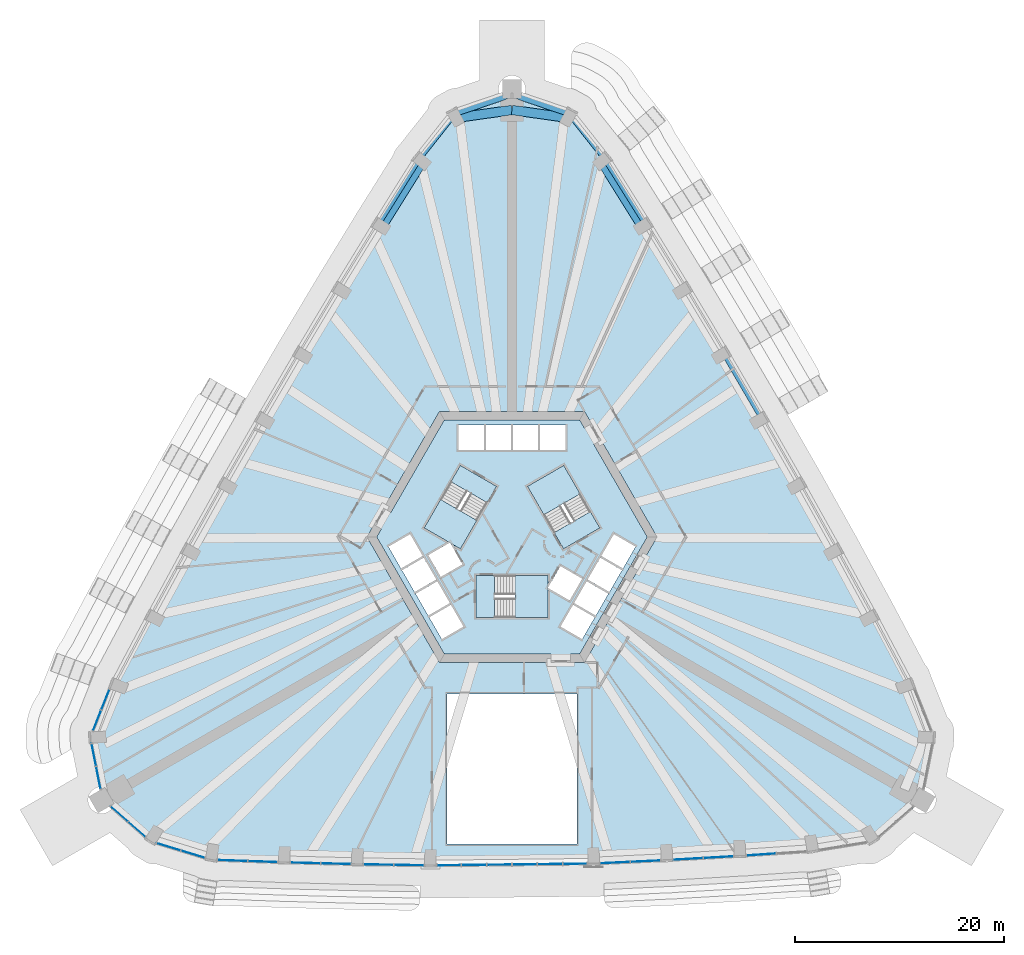
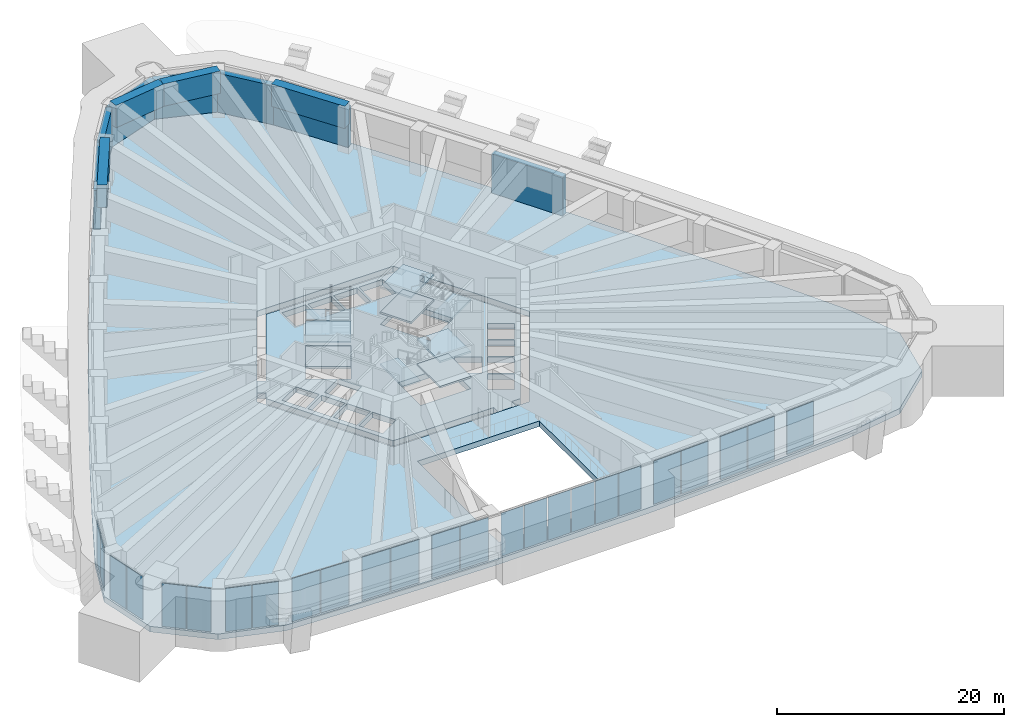
# One storey, part 7 of 22: 25 plates, 11 slabs, 7 members, 4 beams, 14 elements without a shape of their own.
"""IFC4 building model written with IfcOpenShell, lengths in metres."""

from ifc_helpers import new_model, si_unit, direction, frame, origin, origin_2d, place, context, subcontext, project, spatial, polyline, rectangle, outline, extrude, material, layer, layer_set, material_profile, profile_set, type_object, element, aggregate, save


model = new_model("IFC4")

# Units and contexts
model_context = context("Model", 3, precision=1e-05, world=origin(), true_north=direction((0.0, 1.0)))
body_context = subcontext(model_context, "Body", "Model", "MODEL_VIEW")
ifc_project = project(units=[si_unit("LENGTHUNIT", "METRE"), si_unit("AREAUNIT", "SQUARE_METRE"), si_unit("VOLUMEUNIT", "CUBIC_METRE"), si_unit("PLANEANGLEUNIT", "RADIAN"), si_unit("MASSUNIT", "GRAM", prefix="KILO")], contexts=[model_context])

# Site, building, storey
site_placement = place(None, origin())
site = spatial("IfcSite", under=ifc_project, at=site_placement, CompositionType="ELEMENT")
building_placement = place(site_placement, origin())
building = spatial("IfcBuilding", under=site, at=building_placement, Name="Entoto Arch Interchange Tower", CompositionType="ELEMENT")
storey_placement = place(building_placement, frame((0.0, 0.0, 132.800048828125)))
storey = spatial("IfcBuildingStorey", under=building, at=storey_placement, Name="L29", CompositionType="ELEMENT", Elevation=132.800048828125)

# Members
ifc_material_1 = material(Name="Concrete C60/75", Category="concrete")
ifc_material_profile_1 = material_profile(ifc_material_1, rectangle(XDim=0.60009765625, YDim=4.199951171875, at=origin_2d()))
ifc_profile_set_1 = profile_set([ifc_material_profile_1], Name="Concrete C60/75")
member_type = type_object("IfcMemberType", Name="Belt member RC 600x4200 C60/75", PredefinedType="USERDEFINED", material=ifc_profile_set_1)
member_1_placement = place(storey_placement, frame((23.949951171875, 13.827880859375, 2.099853515625), z_axis=(-0.504348531195, 0.86350017897, 0.0), x_axis=(-0.86350017897, -0.504348531195, 0.0)))
element("IfcMember", 1, at=member_1_placement, inside=storey, type_object=member_type, Name="Belt beam 16 L29", ObjectType="BELT BEAM", PredefinedType="USERDEFINED", context=body_context, shape_type="SweptSolid", body=[
    extrude(rectangle(XDim=0.60009765625, YDim=4.199951171875, at=origin_2d()), origin(), (0.0, 0.0, 1.0), 7.215087890625),
])
member_2_placement = place(storey_placement, frame((12.842041015625, 32.405029296875, 2.099853515625), z_axis=(-0.5306608659, 0.847584240888, 0.0), x_axis=(-0.847584240888, -0.5306608659, 0.0)))
element("IfcMember", 2, at=member_2_placement, inside=storey, type_object=member_type, Name="Belt beam 19 L29", ObjectType="BELT BEAM", PredefinedType="USERDEFINED", context=body_context, shape_type="SweptSolid", body=[
    extrude(rectangle(XDim=0.60009765625, YDim=4.199951171875, at=origin_2d()), origin(), (0.0, 0.0, 1.0), 7.424560546875),
])
member_3_placement = place(storey_placement, frame((8.902099609375, 38.697998046875, 2.099853515625), z_axis=(-0.620414203619, 0.784274324422, 0.0), x_axis=(-0.784274324422, -0.620414203619, 0.0)))
element("IfcMember", 3, at=member_3_placement, inside=storey, type_object=member_type, Name="Belt beam 20 L29", ObjectType="BELT BEAM", PredefinedType="USERDEFINED", context=body_context, shape_type="SweptSolid", body=[
    extrude(rectangle(XDim=0.60009765625, YDim=4.199951171875, at=origin_2d()), origin(), (0.0, 0.0, 1.0), 5.436767578125),
])
for number, where, z_axis, x_axis, name in (
    (4, (5.529052734375, 42.9619140625, 2.099853515625), (-0.946657774113, 0.322240684445, 0.0), (-0.322240684445, -0.946657774113, 0.0), "Belt beam 21 L29"),
    (5, (0.0, 44.843994140625, 2.099853515625), (-0.946657774113, -0.322240684445, 0.0), (0.322240684445, -0.946657774113, 0.0), "Belt beam 22 L29"),
):
    element("IfcMember", number, at=place(storey_placement, frame(where, z_axis=z_axis, x_axis=x_axis)), inside=storey, type_object=member_type, Name=name, ObjectType="BELT BEAM", PredefinedType="USERDEFINED", context=body_context, shape_type="SweptSolid", body=[
        extrude(rectangle(XDim=0.60009765625, YDim=4.199951171875, at=origin_2d()), origin(), (0.0, 0.0, 1.0), 5.840576171875),
    ])
member_4_placement = place(storey_placement, frame((-5.529052734375, 42.9619140625, 2.099853515625), z_axis=(-0.620414203619, -0.784274324422, 0.0), x_axis=(0.784274324422, -0.620414203619, 0.0)))
element("IfcMember", 6, at=member_4_placement, inside=storey, type_object=member_type, Name="Belt beam 23 L29", ObjectType="BELT BEAM", PredefinedType="USERDEFINED", context=body_context, shape_type="SweptSolid", body=[
    extrude(rectangle(XDim=0.60009765625, YDim=4.199951171875, at=origin_2d()), origin(), (0.0, 0.0, 1.0), 5.436767578125),
])
member_5_placement = place(storey_placement, frame((-8.902099609375, 38.697998046875, 2.099853515625), z_axis=(-0.5306608659, -0.847584240888, 0.0), x_axis=(0.847584240888, -0.5306608659, 0.0)))
element("IfcMember", 7, at=member_5_placement, inside=storey, type_object=member_type, Name="Belt beam 24 L29", ObjectType="BELT BEAM", PredefinedType="USERDEFINED", context=body_context, shape_type="SweptSolid", body=[
    extrude(rectangle(XDim=0.60009765625, YDim=4.199951171875, at=origin_2d()), origin(), (0.0, 0.0, 1.0), 7.424560546875),
])

# Beams
ifc_material_profile_2 = material_profile(ifc_material_1, rectangle(XDim=0.89990234375, YDim=2.39990234375, at=origin_2d()))
ifc_profile_set_2 = profile_set([ifc_material_profile_2], Name="Concrete C60/75")
beam_type = type_object("IfcBeamType", Name="Transfer beam RC 900x2400 C60/75", PredefinedType="BEAM", material=ifc_profile_set_2)
beam_1_placement = place(storey_placement, frame((12.45703125, 32.162109375, 3.599853515625), z_axis=(-0.529795373298, 0.848125499223, 0.0), x_axis=(-0.848125499223, -0.529795373298, 0.0)))
element("IfcBeam", 8, at=beam_1_placement, inside=storey, type_object=beam_type, Name="Transfer girder NE08 L29", PredefinedType="BEAM", context=body_context, shape_type="SweptSolid", body=[
    extrude(rectangle(XDim=0.89990234375, YDim=2.39990234375, at=origin_2d()), origin(), (0.0, 0.0, 1.0), 7.331298828125),
])
for number, where, z_axis, x_axis, name in (
    (9, (5.364990234375, 42.551025390625, 3.599853515625), (-0.990039398699, 0.140790585708, 0.0), (-0.140790585708, -0.990039398699, 0.0), "Transfer girder N1 L29"),
    (10, (0.0, 43.31396484375, 3.599853515625), (-0.990039398699, -0.140790585708, 0.0), (0.140790585708, -0.990039398699, 0.0), "Transfer girder N3 L29"),
):
    element("IfcBeam", number, at=place(storey_placement, frame(where, z_axis=z_axis, x_axis=x_axis)), inside=storey, type_object=beam_type, Name=name, PredefinedType="BEAM", context=body_context, shape_type="SweptSolid", body=[
        extrude(rectangle(XDim=0.89990234375, YDim=2.39990234375, at=origin_2d()), origin(), (0.0, 0.0, 1.0), 5.4189453125),
    ])
beam_2_placement = place(storey_placement, frame((-8.572998046875, 38.3798828125, 3.599853515625), z_axis=(-0.529795373298, -0.848125499223, 0.0), x_axis=(0.848125499223, -0.529795373298, 0.0)))
element("IfcBeam", 11, at=beam_2_placement, inside=storey, type_object=beam_type, Name="Transfer girder NW01 L29", PredefinedType="BEAM", context=body_context, shape_type="SweptSolid", body=[
    extrude(rectangle(XDim=0.89990234375, YDim=2.39990234375, at=origin_2d()), origin(), (0.0, 0.0, 1.0), 7.331298828125),
])

# Slab
ifc_material_2 = material(Name="Concrete C40/50", Category="concrete")
ifc_layer_1 = layer(ifc_material_2, 0.60009765625)
ifc_layer_set_1 = layer_set([ifc_layer_1], Name="Concrete C40/50")
slab_type_1 = type_object("IfcSlabType", Name="Core floor slab 600 C40/50", PredefinedType="FLOOR", material=ifc_layer_set_1)
slab_1_placement = place(storey_placement, frame((0.0, 0.0, -0.60009765625)))
element("IfcSlab", 12, at=slab_1_placement, inside=storey, type_object=slab_type_1, Name="Core floor slab L29", PredefinedType="FLOOR", context=body_context, shape_type="SweptSolid", body=[
    extrude(outline(polyline([(5.580078125, -9.5), (3.75, -9.5), (3.75, -8.699951171875), (-6.466064453125, -8.699951171875), (-12.93310546875, 2.5), (-12.489990234375, 3.26806640625), (-13.181884765625, 3.66796875), (-12.26806640625, 5.251953125), (-11.574951171875, 4.85205078125), (-6.466064453125, 13.699951171875), (6.466064453125, 13.699951171875), (6.908935546875, 12.931884765625), (7.60302734375, 13.33203125), (8.51806640625, 11.748046875), (7.823974609375, 11.346923828125), (12.93310546875, 2.5), (6.466064453125, -8.699951171875), (5.580078125, -8.699951171875), (5.580078125, -9.5)]), holes=[polyline([(-4.637939453125, -6.06689453125), (-5.837890625, -3.988037109375), (-7.916015625, -5.18798828125), (-6.716064453125, -7.26708984375), (-4.637939453125, -6.06689453125)]), polyline([(-5.93798828125, -3.81494140625), (-7.137939453125, -1.737060546875), (-9.216064453125, -2.93701171875), (-8.01611328125, -5.014892578125), (-5.93798828125, -3.81494140625)]), polyline([(5.5048828125, -3.56494140625), (6.705078125, -1.487060546875), (4.626953125, -0.287109375), (3.449951171875, -2.324951171875), (3.449951171875, -1.199951171875), (-1.64990234375, -1.199951171875), (-1.64990234375, -5.199951171875), (3.449951171875, -5.199951171875), (3.449951171875, -2.3779296875), (5.5048828125, -3.56494140625)]), polyline([(-7.238037109375, -1.56298828125), (-8.43798828125, 0.514892578125), (-10.51611328125, -0.68505859375), (-9.31591796875, -2.762939453125), (-7.238037109375, -1.56298828125)]), polyline([(-4.72705078125, -0.113037109375), (-5.904052734375, 1.925048828125), (-4.928955078125, 1.362060546875), (-2.37890625, 5.779052734375), (-5.843017578125, 7.779052734375), (-8.39306640625, 3.362060546875), (-5.949951171875, 1.951904296875), (-8.0048828125, 0.764892578125), (-6.804931640625, -1.31298828125), (-4.72705078125, -0.113037109375)]), polyline([(-8.5380859375, 0.68798828125), (-9.738037109375, 2.76708984375), (-11.81591796875, 1.56689453125), (-10.615966796875, -0.511962890625), (-8.5380859375, 0.68798828125)]), polyline([(-5.10009765625, 10.800048828125), (-2.699951171875, 10.800048828125), (-2.699951171875, 13.199951171875), (-5.10009765625, 13.199951171875), (-5.10009765625, 10.800048828125)]), polyline([(-2.5, 10.800048828125), (-0.10009765625, 10.800048828125), (-0.10009765625, 13.199951171875), (-2.5, 13.199951171875), (-2.5, 10.800048828125)]), polyline([(5.837890625, -3.988037109375), (4.637939453125, -6.06689453125), (6.716064453125, -7.26708984375), (7.916015625, -5.18798828125), (5.837890625, -3.988037109375)]), polyline([(7.137939453125, -1.737060546875), (5.93798828125, -3.81494140625), (8.01611328125, -5.014892578125), (9.216064453125, -2.93701171875), (7.137939453125, -1.737060546875)]), polyline([(8.43798828125, 0.514892578125), (7.238037109375, -1.56298828125), (9.31591796875, -2.762939453125), (10.51611328125, -0.68505859375), (8.43798828125, 0.514892578125)]), polyline([(9.738037109375, 2.76708984375), (8.5380859375, 0.68798828125), (10.615966796875, -0.511962890625), (11.81591796875, 1.56689453125), (9.738037109375, 2.76708984375)]), polyline([(4.029052734375, 2.9208984375), (7.492919921875, 4.9208984375), (4.943115234375, 9.337890625), (1.47900390625, 7.337890625), (4.029052734375, 2.9208984375)]), polyline([(0.10009765625, 13.199951171875), (0.10009765625, 10.800048828125), (2.5, 10.800048828125), (2.5, 13.199951171875), (0.10009765625, 13.199951171875)]), polyline([(2.699951171875, 13.199951171875), (2.699951171875, 10.800048828125), (5.10009765625, 10.800048828125), (5.10009765625, 13.199951171875), (2.699951171875, 13.199951171875)])]), origin(), (0.0, 0.0, 1.0), 0.60009765625),
])

# Stair, slabs
stair_type = type_object("IfcStairType", Name="EXIT STAIR RC 1800", PredefinedType="HALF_TURN_STAIR", material=ifc_material_2)
stair_1_placement = place(storey_placement, origin())
stair_1 = element("IfcStair", 13, at=stair_1_placement, inside=storey, type_object=stair_type, Name="L29 Exit stair S", PredefinedType="HALF_TURN_STAIR")
ifc_layer_2 = layer(ifc_material_2, 0.199951171875)
ifc_layer_set_2 = layer_set([ifc_layer_2], Name="Concrete C40/50")
slab_type_2 = type_object("IfcSlabType", Name="EXIT STAIR LANDING RC 200", PredefinedType="LANDING", material=ifc_layer_set_2)
slab_2_placement = place(storey_placement, frame((0.0, 0.0, 1.14990234375)))
slab_2 = element("IfcSlab", 14, at=slab_2_placement, type_object=slab_type_2, Name="ST-S landing 1", PredefinedType="LANDING", context=body_context, shape_type="SweptSolid", body=[
    extrude(outline(polyline([(0.31005859375, -5.199951171875), (3.449951171875, -5.199951171875), (3.449951171875, -1.199951171875), (0.31005859375, -1.199951171875), (0.31005859375, -5.199951171875)])), origin(), (0.0, 0.0, 1.0), 0.199951171875),
])
slab_3_placement = place(storey_placement, frame((0.0, 0.0, 2.5)))
slab_3 = element("IfcSlab", 15, at=slab_3_placement, type_object=slab_type_2, Name="ST-S landing 2", PredefinedType="LANDING", context=body_context, shape_type="SweptSolid", body=[
    extrude(outline(polyline([(-3.449951171875, -5.199951171875), (-1.64990234375, -5.199951171875), (-1.64990234375, -1.199951171875), (-3.449951171875, -1.199951171875), (-3.449951171875, -5.199951171875)])), origin(), (0.0, 0.0, 1.0), 0.199951171875),
])
slab_4_placement = place(storey_placement, frame((0.0, 0.0, 3.849853515625)))
slab_4 = element("IfcSlab", 16, at=slab_4_placement, type_object=slab_type_2, Name="ST-S landing 3", PredefinedType="LANDING", context=body_context, shape_type="SweptSolid", body=[
    extrude(outline(polyline([(0.31005859375, -5.199951171875), (3.449951171875, -5.199951171875), (3.449951171875, -1.199951171875), (0.31005859375, -1.199951171875), (0.31005859375, -5.199951171875)])), origin(), (0.0, 0.0, 1.0), 0.2001953125),
])
aggregate(stair_1, [slab_2, slab_3, slab_4])

stair_2_placement = place(storey_placement, origin())
stair_2 = element("IfcStair", 17, at=stair_2_placement, inside=storey, type_object=stair_type, Name="L29 Exit stair NE", PredefinedType="HALF_TURN_STAIR")
slab_5_placement = place(storey_placement, frame((0.0, 0.0, 1.14990234375)))
slab_5 = element("IfcSlab", 18, at=slab_5_placement, type_object=slab_type_2, Name="ST-NE landing 1", PredefinedType="LANDING", context=body_context, shape_type="SweptSolid", body=[
    extrude(outline(polyline([(6.513427734375, 6.618408203125), (4.943359375, 9.337890625), (1.479248046875, 7.337890625), (3.04931640625, 4.618408203125), (6.513427734375, 6.618408203125)])), origin(), (0.0, 0.0, 1.0), 0.199951171875),
])
slab_6_placement = place(storey_placement, frame((0.0, 0.0, 2.5)))
slab_6 = element("IfcSlab", 19, at=slab_6_placement, type_object=slab_type_2, Name="ST-NE landing 2", PredefinedType="LANDING", context=body_context, shape_type="SweptSolid", body=[
    extrude(outline(polyline([(8.393310546875, 3.3623046875), (7.493408203125, 4.921142578125), (4.029296875, 2.921142578125), (4.92919921875, 1.3623046875), (8.393310546875, 3.3623046875)])), origin(), (0.0, 0.0, 1.0), 0.199951171875),
])
slab_7_placement = place(storey_placement, frame((0.0, 0.0, 3.849853515625)))
slab_7 = element("IfcSlab", 20, at=slab_7_placement, type_object=slab_type_2, Name="ST-NE landing 3", PredefinedType="LANDING", context=body_context, shape_type="SweptSolid", body=[
    extrude(outline(polyline([(6.513427734375, 6.618408203125), (4.943359375, 9.337890625), (1.479248046875, 7.337890625), (3.04931640625, 4.618408203125), (6.513427734375, 6.618408203125)])), origin(), (0.0, 0.0, 1.0), 0.2001953125),
])
aggregate(stair_2, [slab_5, slab_6, slab_7])

stair_3_placement = place(storey_placement, origin())
stair_3 = element("IfcStair", 21, at=stair_3_placement, inside=storey, type_object=stair_type, Name="L29 Exit stair NW", PredefinedType="HALF_TURN_STAIR")
slab_8_placement = place(storey_placement, frame((0.0, 0.0, 1.14990234375)))
slab_8 = element("IfcSlab", 22, at=slab_8_placement, type_object=slab_type_2, Name="ST-NW landing 1", PredefinedType="LANDING", context=body_context, shape_type="SweptSolid", body=[
    extrude(outline(polyline([(-6.823486328125, 6.08154296875), (-8.393310546875, 3.3623046875), (-4.92919921875, 1.3623046875), (-3.359375, 4.08154296875), (-6.823486328125, 6.08154296875)])), origin(), (0.0, 0.0, 1.0), 0.199951171875),
])
slab_9_placement = place(storey_placement, frame((0.0, 0.0, 2.5)))
slab_9 = element("IfcSlab", 23, at=slab_9_placement, type_object=slab_type_2, Name="ST-NW landing 2", PredefinedType="LANDING", context=body_context, shape_type="SweptSolid", body=[
    extrude(outline(polyline([(-4.943359375, 9.337890625), (-5.843505859375, 7.779052734375), (-2.37939453125, 5.779052734375), (-1.479248046875, 7.337890625), (-4.943359375, 9.337890625)])), origin(), (0.0, 0.0, 1.0), 0.199951171875),
])
slab_10_placement = place(storey_placement, frame((0.0, 0.0, 3.849853515625)))
slab_10 = element("IfcSlab", 24, at=slab_10_placement, type_object=slab_type_2, Name="ST-NW landing 3", PredefinedType="LANDING", context=body_context, shape_type="SweptSolid", body=[
    extrude(outline(polyline([(-6.823486328125, 6.08154296875), (-8.393310546875, 3.3623046875), (-4.92919921875, 1.3623046875), (-3.359375, 4.08154296875), (-6.823486328125, 6.08154296875)])), origin(), (0.0, 0.0, 1.0), 0.2001953125),
])
aggregate(stair_3, [slab_8, slab_9, slab_10])

# Curtain wall, plates
ifc_material_3 = material(Name="Aluminium, anodised", Category="aluminium")
curtain_wall_type_1 = type_object("IfcCurtainWallType", Name="CURTAIN WALL ATRIUM", PredefinedType="NOTDEFINED", material=ifc_material_3)
curtain_wall_1_placement = place(storey_placement, origin())
curtain_wall_1 = element("IfcCurtainWall", 25, at=curtain_wall_1_placement, inside=storey, type_object=curtain_wall_type_1, Name="Atrium glazing S-04 L29", PredefinedType="NOTDEFINED")
ifc_material_4 = material(Name="Clear glass, low-e double glazed", Category="glass")
ifc_layer_3 = layer(ifc_material_4, 0.031982421875)
ifc_layer_set_3 = layer_set([ifc_layer_3], Name="Clear glass, low-e double glazed")
plate_type_1 = type_object("IfcPlateType", Name="GLAZING PANEL ATRIUM 32", PredefinedType="CURTAIN_PANEL", material=ifc_layer_set_3)
plate_1_placement = place(storey_placement, frame((-6.0166015625, -28.88037109375, 0.080078125), z_axis=(0.0, 0.0, 1.0), x_axis=(0.999938362417, 0.011102763886, 0.0)))
plate_1 = element("IfcPlate", 26, at=plate_1_placement, type_object=plate_type_1, Name="CWA panel 1.1", PredefinedType="CURTAIN_PANEL", context=body_context, shape_type="SweptSolid", body=[
    extrude(rectangle(XDim=2.266845703125, YDim=0.031982421875, at=origin_2d()), origin(), (0.0, 0.0, 1.0), 4.639892578125),
])
plate_2_placement = place(storey_placement, frame((-3.625, -28.853759765625, 0.080078125), z_axis=(0.0, 0.0, 1.0), x_axis=(0.999938362417, 0.011102763886, 0.0)))
plate_2 = element("IfcPlate", 27, at=plate_2_placement, type_object=plate_type_1, Name="CWA panel 2.1", PredefinedType="CURTAIN_PANEL", context=body_context, shape_type="SweptSolid", body=[
    extrude(rectangle(XDim=2.31689453125, YDim=0.031982421875, at=origin_2d()), origin(), (0.0, 0.0, 1.0), 4.639892578125),
])
plate_3_placement = place(storey_placement, frame((-1.208251953125, -28.826904296875, 0.080078125), z_axis=(0.0, 0.0, 1.0), x_axis=(0.999938362417, 0.011102763886, 0.0)))
plate_3 = element("IfcPlate", 28, at=plate_3_placement, type_object=plate_type_1, Name="CWA panel 3.1", PredefinedType="CURTAIN_PANEL", context=body_context, shape_type="SweptSolid", body=[
    extrude(rectangle(XDim=2.31689453125, YDim=0.031982421875, at=origin_2d()), origin(), (0.0, 0.0, 1.0), 4.639892578125),
])
plate_4_placement = place(storey_placement, frame((1.208251953125, -28.800048828125, 0.080078125), z_axis=(0.0, 0.0, 1.0), x_axis=(0.999938362417, 0.011102763886, 0.0)))
plate_4 = element("IfcPlate", 29, at=plate_4_placement, type_object=plate_type_1, Name="CWA panel 4.1", PredefinedType="CURTAIN_PANEL", context=body_context, shape_type="SweptSolid", body=[
    extrude(rectangle(XDim=2.31689453125, YDim=0.031982421875, at=origin_2d()), origin(), (0.0, 0.0, 1.0), 4.639892578125),
])
plate_5_placement = place(storey_placement, frame((3.625, -28.773193359375, 0.080078125), z_axis=(0.0, 0.0, 1.0), x_axis=(0.999938362417, 0.011102763886, 0.0)))
plate_5 = element("IfcPlate", 30, at=plate_5_placement, type_object=plate_type_1, Name="CWA panel 5.1", PredefinedType="CURTAIN_PANEL", context=body_context, shape_type="SweptSolid", body=[
    extrude(rectangle(XDim=2.31689453125, YDim=0.031982421875, at=origin_2d()), origin(), (0.0, 0.0, 1.0), 4.639892578125),
])
plate_6_placement = place(storey_placement, frame((6.0166015625, -28.74658203125, 0.080078125), z_axis=(0.0, 0.0, 1.0), x_axis=(0.999938362417, 0.011102763886, 0.0)))
plate_6 = element("IfcPlate", 31, at=plate_6_placement, type_object=plate_type_1, Name="CWA panel 6.1", PredefinedType="CURTAIN_PANEL", context=body_context, shape_type="SweptSolid", body=[
    extrude(rectangle(XDim=2.266845703125, YDim=0.031982421875, at=origin_2d()), origin(), (0.0, 0.0, 1.0), 4.639892578125),
])
aggregate(curtain_wall_1, [plate_1, plate_2, plate_3, plate_4, plate_5, plate_6])

curtain_wall_type_2 = type_object("IfcCurtainWallType", Name="CURTAIN WALL SKY LOBBY", PredefinedType="NOTDEFINED", material=ifc_material_3)
curtain_wall_2_placement = place(storey_placement, origin())
curtain_wall_2 = element("IfcCurtainWall", 32, at=curtain_wall_2_placement, inside=storey, type_object=curtain_wall_type_2, Name="Sky Lobby glazing S-01 L29", PredefinedType="NOTDEFINED")
ifc_layer_4 = layer(ifc_material_4, 0.030029296875)
ifc_layer_set_4 = layer_set([ifc_layer_4], Name="Clear glass, low-e double glazed")
plate_type_2 = type_object("IfcPlateType", Name="GLAZING PANEL SKY LOBBY 30", PredefinedType="CURTAIN_PANEL", material=ifc_layer_set_4)
plate_7_placement = place(storey_placement, frame((-26.716064453125, -28.431396484375, 0.06982421875), z_axis=(0.0, 0.0, 1.0), x_axis=(0.999361553304, -0.03572794113, 0.0)))
plate_7 = element("IfcPlate", 33, at=plate_7_placement, type_object=plate_type_2, Name="CWS panel 1.1", PredefinedType="CURTAIN_PANEL", context=body_context, shape_type="SweptSolid", body=[
    extrude(rectangle(XDim=2.803955078125, YDim=0.030029296875, at=origin_2d()), origin(), (0.0, 0.0, 1.0), 4.659912109375),
])
plate_8_placement = place(storey_placement, frame((-23.823974609375, -28.53466796875, 0.06982421875), z_axis=(0.0, 0.0, 1.0), x_axis=(0.999361553304, -0.03572794113, 0.0)))
plate_8 = element("IfcPlate", 34, at=plate_8_placement, type_object=plate_type_2, Name="CWS panel 2.1", PredefinedType="CURTAIN_PANEL", context=body_context, shape_type="SweptSolid", body=[
    extrude(rectangle(XDim=2.803955078125, YDim=0.030029296875, at=origin_2d()), origin(), (0.0, 0.0, 1.0), 4.659912109375),
])
aggregate(curtain_wall_2, [plate_7, plate_8])

curtain_wall_3_placement = place(storey_placement, origin())
curtain_wall_3 = element("IfcCurtainWall", 35, at=curtain_wall_3_placement, inside=storey, type_object=curtain_wall_type_2, Name="Sky Lobby glazing S-02 L29", PredefinedType="NOTDEFINED")
plate_9_placement = place(storey_placement, frame((-19.73974609375, -28.66064453125, 0.06982421875), z_axis=(0.0, 0.0, 1.0), x_axis=(0.999667743815, -0.025775996103, 0.0)))
plate_9 = element("IfcPlate", 36, at=plate_9_placement, type_object=plate_type_2, Name="CWS panel 1.1", PredefinedType="CURTAIN_PANEL", context=body_context, shape_type="SweptSolid", body=[
    extrude(rectangle(XDim=2.8134765625, YDim=0.030029296875, at=origin_2d()), origin(), (0.0, 0.0, 1.0), 4.659912109375),
])
plate_10_placement = place(storey_placement, frame((-16.837158203125, -28.7353515625, 0.06982421875), z_axis=(0.0, 0.0, 1.0), x_axis=(0.999667743815, -0.025775996103, 0.0)))
plate_10 = element("IfcPlate", 37, at=plate_10_placement, type_object=plate_type_2, Name="CWS panel 2.1", PredefinedType="CURTAIN_PANEL", context=body_context, shape_type="SweptSolid", body=[
    extrude(rectangle(XDim=2.8134765625, YDim=0.030029296875, at=origin_2d()), origin(), (0.0, 0.0, 1.0), 4.659912109375),
])
aggregate(curtain_wall_3, [plate_9, plate_10])

curtain_wall_4_placement = place(storey_placement, origin())
curtain_wall_4 = element("IfcCurtainWall", 38, at=curtain_wall_4_placement, inside=storey, type_object=curtain_wall_type_2, Name="Sky Lobby glazing S-03 L29", PredefinedType="NOTDEFINED")
plate_11_placement = place(storey_placement, frame((-12.746826171875, -28.82080078125, 0.06982421875), z_axis=(0.0, 0.0, 1.0), x_axis=(0.999872891298, -0.015943689866, 0.0)))
plate_11 = element("IfcPlate", 39, at=plate_11_placement, type_object=plate_type_2, Name="CWS panel 1.1", PredefinedType="CURTAIN_PANEL", context=body_context, shape_type="SweptSolid", body=[
    extrude(rectangle(XDim=2.81298828125, YDim=0.030029296875, at=origin_2d()), origin(), (0.0, 0.0, 1.0), 4.659912109375),
])
plate_12_placement = place(storey_placement, frame((-9.84423828125, -28.8671875, 0.06982421875), z_axis=(0.0, 0.0, 1.0), x_axis=(0.999872891298, -0.015943689866, 0.0)))
plate_12 = element("IfcPlate", 40, at=plate_12_placement, type_object=plate_type_2, Name="CWS panel 2.1", PredefinedType="CURTAIN_PANEL", context=body_context, shape_type="SweptSolid", body=[
    extrude(rectangle(XDim=2.81298828125, YDim=0.030029296875, at=origin_2d()), origin(), (0.0, 0.0, 1.0), 4.659912109375),
])
aggregate(curtain_wall_4, [plate_11, plate_12])

curtain_wall_5_placement = place(storey_placement, origin())
curtain_wall_5 = element("IfcCurtainWall", 41, at=curtain_wall_5_placement, inside=storey, type_object=curtain_wall_type_2, Name="Sky Lobby glazing S-05 L29", PredefinedType="NOTDEFINED")
plate_13_placement = place(storey_placement, frame((9.84423828125, -28.62939453125, 0.06982421875), z_axis=(0.0, 0.0, 1.0), x_axis=(0.998857763575, 0.047782508784, 0.0)))
plate_13 = element("IfcPlate", 42, at=plate_13_placement, type_object=plate_type_2, Name="CWS panel 1.1", PredefinedType="CURTAIN_PANEL", context=body_context, shape_type="SweptSolid", body=[
    extrude(rectangle(XDim=2.81591796875, YDim=0.030029296875, at=origin_2d()), origin(), (0.0, 0.0, 1.0), 4.659912109375),
])
plate_14_placement = place(storey_placement, frame((12.746826171875, -28.490478515625, 0.06982421875), z_axis=(0.0, 0.0, 1.0), x_axis=(0.998857763575, 0.047782508784, 0.0)))
plate_14 = element("IfcPlate", 43, at=plate_14_placement, type_object=plate_type_2, Name="CWS panel 2.1", PredefinedType="CURTAIN_PANEL", context=body_context, shape_type="SweptSolid", body=[
    extrude(rectangle(XDim=2.81591796875, YDim=0.030029296875, at=origin_2d()), origin(), (0.0, 0.0, 1.0), 4.659912109375),
])
aggregate(curtain_wall_5, [plate_13, plate_14])

curtain_wall_6_placement = place(storey_placement, origin())
curtain_wall_6 = element("IfcCurtainWall", 44, at=curtain_wall_6_placement, inside=storey, type_object=curtain_wall_type_2, Name="Sky Lobby glazing S-06 L29", PredefinedType="NOTDEFINED")
plate_15_placement = place(storey_placement, frame((16.83642578125, -28.275146484375, 0.06982421875), z_axis=(0.0, 0.0, 1.0), x_axis=(0.99836084652, 0.057233033604, 0.0)))
plate_15 = element("IfcPlate", 45, at=plate_15_placement, type_object=plate_type_2, Name="CWS panel 1.1", PredefinedType="CURTAIN_PANEL", context=body_context, shape_type="SweptSolid", body=[
    extrude(rectangle(XDim=2.81787109375, YDim=0.030029296875, at=origin_2d()), origin(), (0.0, 0.0, 1.0), 4.659912109375),
])
plate_16_placement = place(storey_placement, frame((19.739501953125, -28.10888671875, 0.06982421875), z_axis=(0.0, 0.0, 1.0), x_axis=(0.99836084652, 0.057233033604, 0.0)))
plate_16 = element("IfcPlate", 46, at=plate_16_placement, type_object=plate_type_2, Name="CWS panel 2.1", PredefinedType="CURTAIN_PANEL", context=body_context, shape_type="SweptSolid", body=[
    extrude(rectangle(XDim=2.81787109375, YDim=0.030029296875, at=origin_2d()), origin(), (0.0, 0.0, 1.0), 4.659912109375),
])
aggregate(curtain_wall_6, [plate_15, plate_16])

# Curtain wall, plate
curtain_wall_7_placement = place(storey_placement, origin())
curtain_wall_7 = element("IfcCurtainWall", 47, at=curtain_wall_7_placement, inside=storey, type_object=curtain_wall_type_2, Name="Sky Lobby glazing S-07 L29", PredefinedType="NOTDEFINED")
plate_17_placement = place(storey_placement, frame((23.824951171875, -27.853271484375, 0.06982421875), z_axis=(0.0, 0.0, 1.0), x_axis=(0.997726949273, 0.067386457793, 0.0)))
plate_17 = element("IfcPlate", 48, at=plate_17_placement, type_object=plate_type_2, Name="CWS panel 1.1", PredefinedType="CURTAIN_PANEL", context=body_context, shape_type="SweptSolid", body=[
    extrude(rectangle(XDim=2.810791015625, YDim=0.030029296875, at=origin_2d()), origin(), (0.0, 0.0, 1.0), 4.659912109375),
])
aggregate(curtain_wall_7, [plate_17])

# Curtain wall, plates
curtain_wall_8_placement = place(storey_placement, origin())
curtain_wall_8 = element("IfcCurtainWall", 49, at=curtain_wall_8_placement, inside=storey, type_object=curtain_wall_type_2, Name="Sky Lobby glazing SW-01 L29", PredefinedType="NOTDEFINED")
plate_18_placement = place(storey_placement, frame((-38.8681640625, -13.049072265625, 0.06982421875), z_axis=(0.0, 0.0, 1.0), x_axis=(-0.369232347148, -0.929337115271, 0.0)))
plate_18 = element("IfcPlate", 50, at=plate_18_placement, type_object=plate_type_2, Name="CWS panel 1.1", PredefinedType="CURTAIN_PANEL", context=body_context, shape_type="SweptSolid", body=[
    extrude(rectangle(XDim=2.062744140625, YDim=0.030029296875, at=origin_2d()), origin(), (0.0, 0.0, 1.0), 4.659912109375),
])
plate_19_placement = place(storey_placement, frame((-39.662841796875, -15.0498046875, 0.06982421875), z_axis=(0.0, 0.0, 1.0), x_axis=(-0.369232347148, -0.929337115271, 0.0)))
plate_19 = element("IfcPlate", 51, at=plate_19_placement, type_object=plate_type_2, Name="CWS panel 2.1", PredefinedType="CURTAIN_PANEL", context=body_context, shape_type="SweptSolid", body=[
    extrude(rectangle(XDim=2.062744140625, YDim=0.030029296875, at=origin_2d()), origin(), (0.0, 0.0, 1.0), 4.659912109375),
])
aggregate(curtain_wall_8, [plate_18, plate_19])

curtain_wall_9_placement = place(storey_placement, origin())
curtain_wall_9 = element("IfcCurtainWall", 52, at=curtain_wall_9_placement, inside=storey, type_object=curtain_wall_type_2, Name="Sky Lobby glazing SW-02 L29", PredefinedType="NOTDEFINED")
plate_20_placement = place(storey_placement, frame((-39.97314453125, -18.334716796875, 0.06982421875), z_axis=(0.0, 0.0, 1.0), x_axis=(0.194721206815, -0.980858629781, 0.0)))
plate_20 = element("IfcPlate", 53, at=plate_20_placement, type_object=plate_type_2, Name="CWS panel 1.1", PredefinedType="CURTAIN_PANEL", context=body_context, shape_type="SweptSolid", body=[
    extrude(rectangle(XDim=2.14013671875, YDim=0.030029296875, at=origin_2d()), origin(), (0.0, 0.0, 1.0), 4.659912109375),
])
plate_21_placement = place(storey_placement, frame((-39.538818359375, -20.522216796875, 0.06982421875), z_axis=(0.0, 0.0, 1.0), x_axis=(0.194721206815, -0.980858629781, 0.0)))
plate_21 = element("IfcPlate", 54, at=plate_21_placement, type_object=plate_type_2, Name="CWS panel 2.1", PredefinedType="CURTAIN_PANEL", context=body_context, shape_type="SweptSolid", body=[
    extrude(rectangle(XDim=2.14013671875, YDim=0.030029296875, at=origin_2d()), origin(), (0.0, 0.0, 1.0), 4.659912109375),
])
aggregate(curtain_wall_9, [plate_20, plate_21])

curtain_wall_10_placement = place(storey_placement, origin())
curtain_wall_10 = element("IfcCurtainWall", 55, at=curtain_wall_10_placement, inside=storey, type_object=curtain_wall_type_2, Name="Sky Lobby glazing SW-03 L29", PredefinedType="NOTDEFINED")
plate_22_placement = place(storey_placement, frame((-37.54052734375, -23.98095703125, 0.06982421875), z_axis=(0.0, 0.0, 1.0), x_axis=(0.752277018014, -0.658846938346, 0.0)))
plate_22 = element("IfcPlate", 56, at=plate_22_placement, type_object=plate_type_2, Name="CWS panel 1.1", PredefinedType="CURTAIN_PANEL", context=body_context, shape_type="SweptSolid", body=[
    extrude(rectangle(XDim=2.139404296875, YDim=0.030029296875, at=origin_2d()), origin(), (0.0, 0.0, 1.0), 4.659912109375),
])
plate_23_placement = place(storey_placement, frame((-35.863525390625, -25.449951171875, 0.06982421875), z_axis=(0.0, 0.0, 1.0), x_axis=(0.752277018014, -0.658846938346, 0.0)))
plate_23 = element("IfcPlate", 57, at=plate_23_placement, type_object=plate_type_2, Name="CWS panel 2.1", PredefinedType="CURTAIN_PANEL", context=body_context, shape_type="SweptSolid", body=[
    extrude(rectangle(XDim=2.139404296875, YDim=0.030029296875, at=origin_2d()), origin(), (0.0, 0.0, 1.0), 4.659912109375),
])
aggregate(curtain_wall_10, [plate_22, plate_23])

curtain_wall_11_placement = place(storey_placement, origin())
curtain_wall_11 = element("IfcCurtainWall", 58, at=curtain_wall_11_placement, inside=storey, type_object=curtain_wall_type_2, Name="Sky Lobby glazing SW-04 L29", PredefinedType="NOTDEFINED")
plate_24_placement = place(storey_placement, frame((-32.821533203125, -27.11572265625, 0.06982421875), z_axis=(0.0, 0.0, 1.0), x_axis=(0.956175713557, -0.292793450754, 0.0)))
plate_24 = element("IfcPlate", 59, at=plate_24_placement, type_object=plate_type_2, Name="CWS panel 1.1", PredefinedType="CURTAIN_PANEL", context=body_context, shape_type="SweptSolid", body=[
    extrude(rectangle(XDim=2.33935546875, YDim=0.030029296875, at=origin_2d()), origin(), (0.0, 0.0, 1.0), 4.659912109375),
])
plate_25_placement = place(storey_placement, frame((-30.49853515625, -27.8271484375, 0.06982421875), z_axis=(0.0, 0.0, 1.0), x_axis=(0.956175713557, -0.292793450754, 0.0)))
plate_25 = element("IfcPlate", 60, at=plate_25_placement, type_object=plate_type_2, Name="CWS panel 2.1", PredefinedType="CURTAIN_PANEL", context=body_context, shape_type="SweptSolid", body=[
    extrude(rectangle(XDim=2.33935546875, YDim=0.030029296875, at=origin_2d()), origin(), (0.0, 0.0, 1.0), 4.659912109375),
])
aggregate(curtain_wall_11, [plate_24, plate_25])

# Slab
ifc_layer_5 = layer(ifc_material_2, 0.60009765625)
ifc_layer_set_5 = layer_set([ifc_layer_5], Name="Concrete C40/50")
slab_type_3 = type_object("IfcSlabType", Name="Transfer floor slab post-tensioned 600 C40/50", PredefinedType="FLOOR", material=ifc_layer_set_5)
slab_11_placement = place(storey_placement, frame((0.0, 0.0, -0.60009765625)))
element("IfcSlab", 61, at=slab_11_placement, inside=storey, type_object=slab_type_3, Name="Floor slab L29", PredefinedType="FLOOR", context=body_context, shape_type="SweptSolid", body=[
    extrude(outline(polyline([(-28.783935546875, -28.48291015625), (-21.7890625, -28.73291015625), (-14.794921875, -28.9130859375), (-7.800048828125, -29.02490234375), (7.800048828125, -28.85205078125), (14.794921875, -28.51806640625), (21.7890625, -28.115966796875), (28.783935546875, -27.64404296875), (34.635986328125, -26.69091796875), (39.241943359375, -22.656982421875), (40.43408203125, -16.65087890625), (38.368896484375, -11.452880859375), (34.8759765625, -4.8701171875), (31.427001953125, 1.471923828125), (27.9130859375, 7.779052734375), (24.3349609375, 14.050048828125), (20.694091796875, 20.283935546875), (16.989013671875, 26.47998046875), (13.219970703125, 32.638916015625), (9.26611328125, 38.955078125), (5.797119140625, 43.341064453125), (0.0, 45.31396484375), (-5.797119140625, 43.341064453125), (-9.26611328125, 38.955078125), (-13.219970703125, 32.638916015625), (-16.989013671875, 26.47998046875), (-20.694091796875, 20.283935546875), (-24.3349609375, 14.050048828125), (-27.9130859375, 7.779052734375), (-31.427001953125, 1.471923828125), (-34.8759765625, -4.8701171875), (-38.368896484375, -11.452880859375), (-40.43408203125, -16.65087890625), (-39.241943359375, -22.656982421875), (-34.635986328125, -26.69091796875), (-28.783935546875, -28.48291015625)]), holes=[polyline([(6.199951171875, -26.85205078125), (6.199951171875, -12.5), (-6.199951171875, -12.5), (-6.199951171875, -26.85205078125), (6.199951171875, -26.85205078125)]), polyline([(13.85595703125, 2.5), (6.927978515625, 14.5), (-6.927978515625, 14.5), (-13.85595703125, 2.5), (-6.927978515625, -9.5), (6.927978515625, -9.5), (13.85595703125, 2.5)])]), origin(), (0.0, 0.0, 1.0), 0.60009765625),
])

save(model, "model.ifc")
